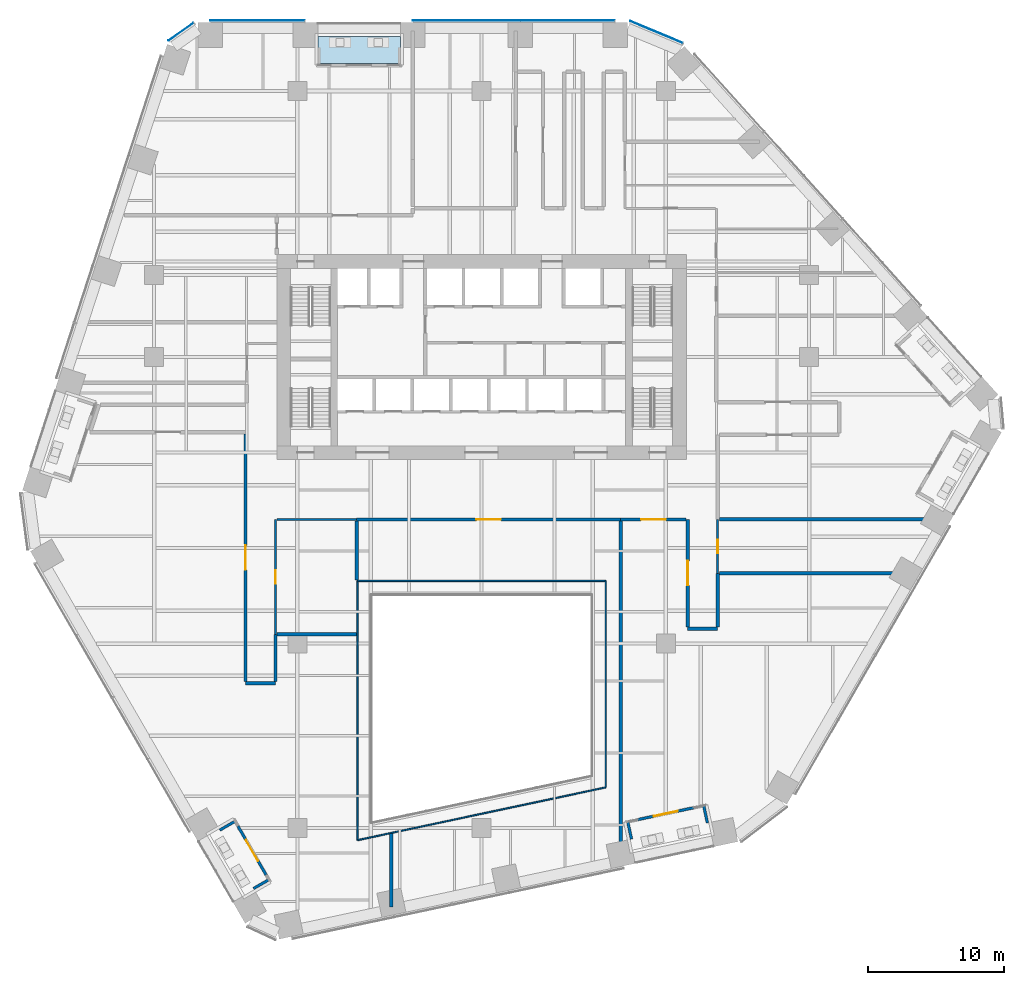
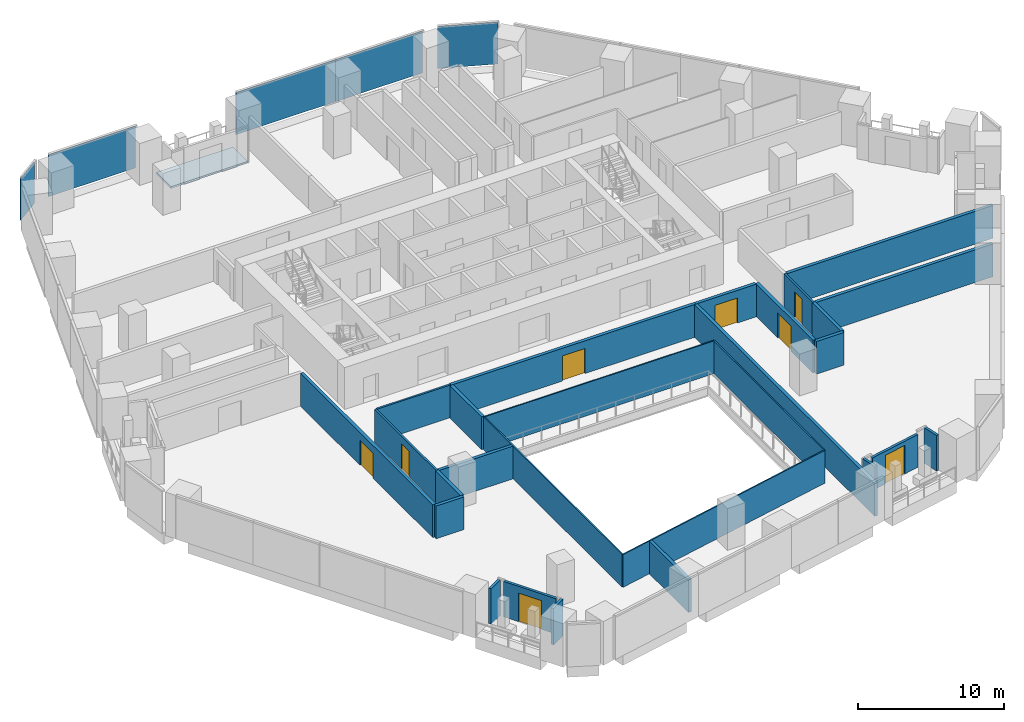
# One storey, part 22 of 31: 27 walls, 8 doors, 5 plates, 1 slab, 8 openings, 3 elements without a shape of their own.
"""IFC4 building model written with IfcOpenShell, lengths in metres."""

from ifc_helpers import new_model, si_unit, direction, frame, frame_2d, origin, origin_2d, place, context, subcontext, project, spatial, polyline, rectangle, outline, extrude, material, layer, layer_set, type_object, element, fill, aggregate, save


model = new_model("IFC4")

# Units and contexts
model_context = context("Model", 3, precision=1e-05, world=origin(), true_north=direction((0.0, 1.0)))
body_context = subcontext(model_context, "Body", "Model", "MODEL_VIEW")
ifc_project = project(units=[si_unit("LENGTHUNIT", "METRE"), si_unit("AREAUNIT", "SQUARE_METRE"), si_unit("VOLUMEUNIT", "CUBIC_METRE"), si_unit("PLANEANGLEUNIT", "RADIAN"), si_unit("MASSUNIT", "GRAM", prefix="KILO")], contexts=[model_context])

# Site, building, storey
site_placement = place(None, origin())
site = spatial("IfcSite", under=ifc_project, at=site_placement, CompositionType="ELEMENT")
building_placement = place(site_placement, origin())
building = spatial("IfcBuilding", under=site, at=building_placement, Name="Isthmus Gate Tower", CompositionType="ELEMENT")
storey_placement = place(building_placement, frame((0.0, 0.0, 54.25)))
storey = spatial("IfcBuildingStorey", under=building, at=storey_placement, Name="L11", CompositionType="ELEMENT", Elevation=54.25)

# Curtain wall, plates
ifc_material_1 = material(Name="Aluminium, pale champagne anodised", Category="aluminium")
ifc_layer_1 = layer(ifc_material_1, 0.199951171875)
ifc_layer_set_1 = layer_set([ifc_layer_1], Name="CW-1 UNITISED CURTAIN WALL 200 DEEP")
curtain_wall_type = type_object("IfcCurtainWallType", Name="CW-1 UNITISED CURTAIN WALL 200 DEEP", PredefinedType="NOTDEFINED", material=ifc_layer_set_1)
curtain_wall_1_placement = place(storey_placement, origin())
curtain_wall_1 = element("IfcCurtainWall", 1, at=curtain_wall_1_placement, inside=storey, type_object=curtain_wall_type, Name="CW-1 N L11", PredefinedType="NOTDEFINED")
ifc_material_2 = material(Name="Laminated low-iron glass, pale blue tint", Category="glass")
ifc_layer_2 = layer(ifc_material_2, 0.0400390625)
ifc_layer_set_2 = layer_set([ifc_layer_2], Name="CW-1 CLEAR GLASS LITE 40")
plate_type = type_object("IfcPlateType", Name="CW-1 CLEAR GLASS LITE 40", PredefinedType="CURTAIN_PANEL", material=ifc_layer_set_2)
plate_1_placement = place(storey_placement, frame((6.287109375, 32.179931640625, 0.0), z_axis=(0.0, 0.0, 1.0), x_axis=(-1.0, 0.0, 0.0)))
plate_1 = element("IfcPlate", 2, at=plate_1_placement, type_object=plate_type, Name="CW-1 glass lite", PredefinedType="CURTAIN_PANEL", context=body_context, shape_type="SweptSolid", body=[
    extrude(rectangle(XDim=6.909423828125, YDim=0.0400390625, at=origin_2d()), origin(), (0.0, 0.0, 1.0), 3.5),
])
plate_2_placement = place(storey_placement, frame((-1.1025390625, 32.179931640625, 0.0), z_axis=(0.0, 0.0, 1.0), x_axis=(-1.0, 0.0, 0.0)))
plate_2 = element("IfcPlate", 3, at=plate_2_placement, type_object=plate_type, Name="CW-1 glass lite", PredefinedType="CURTAIN_PANEL", context=body_context, shape_type="SweptSolid", body=[
    extrude(rectangle(XDim=7.86962890625, YDim=0.0400390625, at=origin_2d()), origin(), (0.0, 0.0, 1.0), 3.5),
])
plate_3_placement = place(storey_placement, frame((-16.42138671875, 32.179931640625, 0.0), z_axis=(0.0, 0.0, 1.0), x_axis=(-1.0, 0.0, 0.0)))
plate_3 = element("IfcPlate", 4, at=plate_3_placement, type_object=plate_type, Name="CW-1 glass lite", PredefinedType="CURTAIN_PANEL", context=body_context, shape_type="SweptSolid", body=[
    extrude(rectangle(XDim=6.909423828125, YDim=0.0400390625, at=origin_2d()), origin(), (0.0, 0.0, 1.0), 3.5),
])
aggregate(curtain_wall_1, [plate_1, plate_2, plate_3])

# Curtain wall, plate
curtain_wall_2_placement = place(storey_placement, origin())
curtain_wall_2 = element("IfcCurtainWall", 5, at=curtain_wall_2_placement, inside=storey, type_object=curtain_wall_type, Name="CW-1 N-NW L11", PredefinedType="NOTDEFINED")
plate_4_placement = place(storey_placement, frame((-22.025146484375, 31.341552734375, 0.0), z_axis=(0.0, 0.0, 1.0), x_axis=(-0.81785959165, -0.57541783805, 0.0)))
plate_4 = element("IfcPlate", 6, at=plate_4_placement, type_object=plate_type, Name="CW-1 glass lite", PredefinedType="CURTAIN_PANEL", context=body_context, shape_type="SweptSolid", body=[
    extrude(rectangle(XDim=2.258544921875, YDim=0.0400390625, at=origin_2d()), origin(), (0.0, 0.0, 1.0), 3.5),
])
aggregate(curtain_wall_2, [plate_4])

curtain_wall_3_placement = place(storey_placement, origin())
curtain_wall_3 = element("IfcCurtainWall", 7, at=curtain_wall_3_placement, inside=storey, type_object=curtain_wall_type, Name="CW-1 NE-N L11", PredefinedType="NOTDEFINED")
plate_5_placement = place(storey_placement, frame((12.816650390625, 31.315673828125, 0.0), z_axis=(0.0, 0.0, 1.0), x_axis=(-0.923353128387, 0.383951820282, 0.0)))
plate_5 = element("IfcPlate", 8, at=plate_5_placement, type_object=plate_type, Name="CW-1 glass lite", PredefinedType="CURTAIN_PANEL", context=body_context, shape_type="SweptSolid", body=[
    extrude(rectangle(XDim=4.181396484375, YDim=0.0400390625, at=origin_2d()), origin(), (0.0, 0.0, 1.0), 3.5),
])
aggregate(curtain_wall_3, [plate_5])

# Slab
ifc_material_3 = material(Name="Concrete f'c 50 MPa", Category="concrete")
ifc_layer_3 = layer(ifc_material_3, 0.14990234375)
ifc_layer_set_3 = layer_set([ifc_layer_3], Name="LOGGIA FLOOR SLAB 150")
slab_type = type_object("IfcSlabType", Name="LOGGIA FLOOR SLAB 150", PredefinedType="FLOOR", material=ifc_layer_set_3)
slab_placement = place(storey_placement, frame((0.0, 0.0, -0.14990234375)))
element("IfcSlab", 9, at=slab_placement, inside=storey, type_object=slab_type, Name="LOGGIA FLOOR", PredefinedType="FLOOR", context=body_context, shape_type="SweptSolid", body=[
    extrude(outline(polyline([(-5.937255859375, 31.0), (-12.006591796875, 31.0), (-12.006591796875, 29.0), (-5.937255859375, 29.0), (-5.937255859375, 31.0)])), origin(), (0.0, 0.0, 1.0), 0.14990234375),
])

# Wall, opening, door
ifc_material_4 = material(Name="Double-leaf acoustic stud wall, fire-rated", Category="gypsum")
ifc_layer_4 = layer(ifc_material_4, 0.25)
ifc_layer_set_4 = layer_set([ifc_layer_4], Name="ACOUSTIC WALL 250 60 MIN")
wall_type_1 = type_object("IfcWallType", Name="ACOUSTIC WALL 250 60 MIN", PredefinedType="PARTITIONING", material=ifc_layer_set_4)
wall_1_placement = place(storey_placement, frame((10.19189453125, -4.39990234375, 0.0), z_axis=(0.0, 0.0, 1.0), x_axis=(-1.0, 0.0, 0.0)))
wall_1 = element("IfcWall", 10, at=wall_1_placement, inside=storey, type_object=wall_type_1, Name="L11 Acoustic Wall 250 60 Min", PredefinedType="PARTITIONING", context=body_context, shape_type="SweptSolid", body=[
    extrude(rectangle(XDim=19.343994140625, YDim=0.25, at=frame_2d((9.671875, 0.0))), origin(), (0.0, 0.0, 1.0), 2.7412109375),
])
opening_1_placement = place(wall_1_placement, frame((8.77197265625, 0.0, 0.0)))
opening_1 = element("IfcOpeningElement", 11, at=opening_1_placement, cuts=wall_1, Name="Opening DT-T1B-16", PredefinedType="OPENING", context=body_context, shape_type="SweptSolid", body=[
    extrude(rectangle(XDim=1.800048828125, YDim=2.10009765625, at=frame_2d((0.89990234375, 1.050048828125))), frame((0.0, 0.135009765625, 0.0), z_axis=(0.0, -1.0, 0.0), x_axis=(1.0, 0.0, 0.0)), (0.0, 0.0, 1.0), 0.27001953125),
])
ifc_material_5 = material(Name="Solid core timber door leaf, fire-rated", Category="wood")
door_type_1 = type_object("IfcDoorType", Name="FIRE DOOR ACOUSTIC ROOM 1800 X 2100 60 MIN", OperationType="DOUBLE_DOOR_DOUBLE_SWING", PredefinedType="DOOR", material=ifc_material_5)
door_1_placement = place(opening_1_placement, origin())
door_1 = element("IfcDoor", 12, at=door_1_placement, inside=storey, type_object=door_type_1, Name="L11 room door", OperationType="DOUBLE_DOOR_DOUBLE_SWING", OverallHeight=2.10009765625, OverallWidth=1.800048828125, PredefinedType="DOOR", context=body_context, shape_type="SweptSolid", body=[
    extrude(rectangle(XDim=1.800048828125, YDim=2.10009765625, at=frame_2d((0.89990234375, 1.050048828125))), frame((0.0, 0.02490234375, 0.0), z_axis=(0.0, -1.0, 0.0), x_axis=(1.0, 0.0, 0.0)), (0.0, 0.0, 1.0), 0.050048828125),
])
fill(opening_1, door_1)

wall_2_placement = place(storey_placement, frame((14.97509765625, -4.39990234375, 0.0), z_axis=(0.0, 0.0, 1.0), x_axis=(-1.0, 0.0, 0.0)))
wall_2 = element("IfcWall", 13, at=wall_2_placement, inside=storey, type_object=wall_type_1, Name="L11 Acoustic Wall 250 60 Min", PredefinedType="PARTITIONING", context=body_context, shape_type="SweptSolid", body=[
    extrude(rectangle(XDim=4.783203125, YDim=0.25, at=frame_2d((2.3916015625, 0.0))), origin(), (0.0, 0.0, 1.0), 2.7412109375),
])
opening_2_placement = place(wall_2_placement, frame((1.47900390625, 0.0, 0.0)))
opening_2 = element("IfcOpeningElement", 14, at=opening_2_placement, cuts=wall_2, Name="Opening DT-T1B-18", PredefinedType="OPENING", context=body_context, shape_type="SweptSolid", body=[
    extrude(rectangle(XDim=1.800048828125, YDim=2.10009765625, at=frame_2d((0.89990234375, 1.050048828125))), frame((0.0, 0.135009765625, 0.0), z_axis=(0.0, -1.0, 0.0), x_axis=(1.0, 0.0, 0.0)), (0.0, 0.0, 1.0), 0.27001953125),
])
door_2_placement = place(opening_2_placement, origin())
door_2 = element("IfcDoor", 15, at=door_2_placement, inside=storey, type_object=door_type_1, Name="L11 room door", OperationType="DOUBLE_DOOR_DOUBLE_SWING", OverallHeight=2.10009765625, OverallWidth=1.800048828125, PredefinedType="DOOR", context=body_context, shape_type="SweptSolid", body=[
    extrude(rectangle(XDim=1.800048828125, YDim=2.10009765625, at=frame_2d((0.89990234375, 1.050048828125))), frame((0.0, 0.02490234375, 0.0), z_axis=(0.0, -1.0, 0.0), x_axis=(1.0, 0.0, 0.0)), (0.0, 0.0, 1.0), 0.050048828125),
])
fill(opening_2, door_2)

# Walls
wall_3_placement = place(storey_placement, frame((17.300048828125, -12.39990234375, 0.0), z_axis=(0.0, 0.0, 1.0), x_axis=(-1.0, 0.0, 0.0)))
element("IfcWall", 16, at=wall_3_placement, inside=storey, type_object=wall_type_1, Name="L11 Acoustic Wall 250 60 Min", PredefinedType="PARTITIONING", context=body_context, shape_type="SweptSolid", body=[
    extrude(rectangle(XDim=2.199951171875, YDim=0.25, at=frame_2d((1.10009765625, 0.0))), origin(), (0.0, 0.0, 1.0), 2.7412109375),
])
wall_4_placement = place(storey_placement, frame((17.300048828125, -8.35009765625, 0.0), z_axis=(0.0, 0.0, 1.0), x_axis=(0.0, -1.0, 0.0)))
element("IfcWall", 17, at=wall_4_placement, inside=storey, type_object=wall_type_1, Name="L11 Acoustic Wall 250 60 Min", PredefinedType="PARTITIONING", context=body_context, shape_type="SweptSolid", body=[
    extrude(rectangle(XDim=3.9248046875, YDim=0.25, at=frame_2d((1.96240234375, 0.0))), origin(), (0.0, 0.0, 1.0), 2.7412109375),
])
wall_5_placement = place(storey_placement, frame((-15.10009765625, -16.39990234375, 0.0), z_axis=(0.0, 0.0, 1.0), x_axis=(-1.0, 0.0, 0.0)))
element("IfcWall", 18, at=wall_5_placement, inside=storey, type_object=wall_type_1, Name="L11 Acoustic Wall 250 60 Min", PredefinedType="PARTITIONING", context=body_context, shape_type="SweptSolid", body=[
    extrude(rectangle(XDim=2.199951171875, YDim=0.25, at=frame_2d((1.10009765625, 0.0))), origin(), (0.0, 0.0, 1.0), 2.7412109375),
])
wall_6_placement = place(storey_placement, frame((-15.10009765625, -12.825927734375, 0.0), z_axis=(0.0, 0.0, 1.0), x_axis=(0.0, -1.0, 0.0)))
element("IfcWall", 19, at=wall_6_placement, inside=storey, type_object=wall_type_1, Name="L11 Acoustic Wall 250 60 Min", PredefinedType="PARTITIONING", context=body_context, shape_type="SweptSolid", body=[
    extrude(rectangle(XDim=3.448974609375, YDim=0.25, at=frame_2d((1.724609375, 0.0))), origin(), (0.0, 0.0, 1.0), 2.7412109375),
])
wall_7_placement = place(storey_placement, frame((17.427001953125, -4.3720703125, 0.0), z_axis=(0.0, 0.0, 1.0), x_axis=(1.0, 0.0, 0.0)))
element("IfcWall", 20, at=wall_7_placement, inside=storey, type_object=wall_type_1, Name="L11 Acoustic Wall 250 60 Min", PredefinedType="PARTITIONING", context=body_context, shape_type="SweptSolid", body=[
    extrude(rectangle(XDim=16.305908203125, YDim=0.25, at=frame_2d((8.15283203125, 0.0))), origin(), (0.0, 0.0, 1.0), 2.7412109375),
])
wall_8_placement = place(storey_placement, frame((-14.97509765625, -12.825927734375, 0.0), z_axis=(0.0, 0.0, 1.0), x_axis=(1.0, 0.0, 0.0)))
element("IfcWall", 21, at=wall_8_placement, inside=storey, type_object=wall_type_1, Name="L11 Acoustic Wall 250 60 Min", PredefinedType="PARTITIONING", context=body_context, shape_type="SweptSolid", body=[
    extrude(rectangle(XDim=5.8251953125, YDim=0.25, at=frame_2d((2.91259765625, 0.0))), origin(), (0.0, 0.0, 1.0), 2.7412109375),
])
wall_9_placement = place(storey_placement, frame((-9.152099609375, -8.85205078125, 0.0), z_axis=(0.0, 0.0, 1.0), x_axis=(0.0, 1.0, 0.0)))
element("IfcWall", 22, at=wall_9_placement, inside=storey, type_object=wall_type_1, Name="L11 Acoustic Wall 250 60 Min", PredefinedType="PARTITIONING", context=body_context, shape_type="SweptSolid", body=[
    extrude(rectangle(XDim=4.3271484375, YDim=0.25, at=frame_2d((2.16357421875, 0.0))), origin(), (0.0, 0.0, 1.0), 2.7412109375),
])
wall_10_placement = place(storey_placement, frame((17.425048828125, -8.35009765625, 0.0), z_axis=(0.0, 0.0, 1.0), x_axis=(1.0, 0.0, 0.0)))
element("IfcWall", 23, at=wall_10_placement, inside=storey, type_object=wall_type_1, Name="L11 Acoustic Wall 250 60 Min", PredefinedType="PARTITIONING", context=body_context, shape_type="SweptSolid", body=[
    extrude(rectangle(XDim=14.011962890625, YDim=0.25, at=frame_2d((7.005859375, 0.0))), origin(), (0.0, 0.0, 1.0), 2.7412109375),
])

# Wall, opening, door
wall_11_placement = place(storey_placement, frame((-17.300048828125, -16.27490234375, 0.0), z_axis=(0.0, 0.0, 1.0), x_axis=(0.0, 1.0, 0.0)))
wall_11 = element("IfcWall", 24, at=wall_11_placement, inside=storey, type_object=wall_type_1, Name="L11 Acoustic Wall 250 60 Min", PredefinedType="PARTITIONING", context=body_context, shape_type="SweptSolid", body=[
    extrude(rectangle(XDim=18.14990234375, YDim=0.25, at=frame_2d((9.074951171875, 0.0))), origin(), (0.0, 0.0, 1.0), 2.7412109375),
])
opening_3_placement = place(wall_11_placement, frame((8.175048828125, 0.0, 0.0)))
opening_3 = element("IfcOpeningElement", 25, at=opening_3_placement, cuts=wall_11, Name="Opening DT-T1B-14", PredefinedType="OPENING", context=body_context, shape_type="SweptSolid", body=[
    extrude(rectangle(XDim=1.800048828125, YDim=2.10009765625, at=frame_2d((0.89990234375, 1.050048828125))), frame((0.0, 0.135009765625, 0.0), z_axis=(0.0, -1.0, 0.0), x_axis=(1.0, 0.0, 0.0)), (0.0, 0.0, 1.0), 0.27001953125),
])
door_3_placement = place(opening_3_placement, origin())
door_3 = element("IfcDoor", 26, at=door_3_placement, inside=storey, type_object=door_type_1, Name="L11 room door", OperationType="DOUBLE_DOOR_DOUBLE_SWING", OverallHeight=2.10009765625, OverallWidth=1.800048828125, PredefinedType="DOOR", context=body_context, shape_type="SweptSolid", body=[
    extrude(rectangle(XDim=1.800048828125, YDim=2.10009765625, at=frame_2d((0.89990234375, 1.050048828125))), frame((0.0, 0.02490234375, 0.0), z_axis=(0.0, -1.0, 0.0), x_axis=(1.0, 0.0, 0.0)), (0.0, 0.0, 1.0), 0.050048828125),
])
fill(opening_3, door_3)

# Walls
wall_12_placement = place(storey_placement, frame((-6.611083984375, -32.7919921875, 0.0), z_axis=(0.0, 0.0, 1.0), x_axis=(0.0, 1.0, 0.0)))
element("IfcWall", 27, at=wall_12_placement, inside=storey, type_object=wall_type_1, Name="L11 Acoustic Wall 250 60 Min", PredefinedType="PARTITIONING", context=body_context, shape_type="SweptSolid", body=[
    extrude(rectangle(XDim=5.366943359375, YDim=0.25, at=frame_2d((2.68359375, 0.0))), origin(), (0.0, 0.0, 1.0), 2.7412109375),
])
wall_13_placement = place(storey_placement, frame((10.19189453125, -29.219970703125, 0.0), z_axis=(0.0, 0.0, 1.0), x_axis=(0.0, 1.0, 0.0)))
element("IfcWall", 28, at=wall_13_placement, inside=storey, type_object=wall_type_1, Name="L11 Acoustic Wall 250 60 Min", PredefinedType="PARTITIONING", context=body_context, shape_type="SweptSolid", body=[
    extrude(rectangle(XDim=24.695068359375, YDim=0.25, at=frame_2d((12.34765625, 0.0))), origin(), (0.0, 0.0, 1.0), 2.7412109375),
])

# Wall, opening, door
wall_14_placement = place(storey_placement, frame((15.10009765625, -12.27490234375, 0.0), z_axis=(0.0, 0.0, 1.0), x_axis=(0.0, 1.0, 0.0)))
wall_14 = element("IfcWall", 29, at=wall_14_placement, inside=storey, type_object=wall_type_1, Name="L11 Acoustic Wall 250 60 Min", PredefinedType="PARTITIONING", context=body_context, shape_type="SweptSolid", body=[
    extrude(rectangle(XDim=7.875, YDim=0.25, at=frame_2d((3.9375, 0.0))), origin(), (0.0, 0.0, 1.0), 2.7412109375),
])
opening_4_placement = place(wall_14_placement, frame((3.03759765625, 0.0, 0.0)))
opening_4 = element("IfcOpeningElement", 30, at=opening_4_placement, cuts=wall_14, Name="Opening DT-T1B-17", PredefinedType="OPENING", context=body_context, shape_type="SweptSolid", body=[
    extrude(rectangle(XDim=1.800048828125, YDim=2.10009765625, at=frame_2d((0.89990234375, 1.050048828125))), frame((0.0, 0.135009765625, 0.0), z_axis=(0.0, -1.0, 0.0), x_axis=(1.0, 0.0, 0.0)), (0.0, 0.0, 1.0), 0.27001953125),
])
door_4_placement = place(opening_4_placement, origin())
door_4 = element("IfcDoor", 31, at=door_4_placement, inside=storey, type_object=door_type_1, Name="L11 room door", OperationType="DOUBLE_DOOR_DOUBLE_SWING", OverallHeight=2.10009765625, OverallWidth=1.800048828125, PredefinedType="DOOR", context=body_context, shape_type="SweptSolid", body=[
    extrude(rectangle(XDim=1.800048828125, YDim=2.10009765625, at=frame_2d((0.89990234375, 1.050048828125))), frame((0.0, 0.02490234375, 0.0), z_axis=(0.0, -1.0, 0.0), x_axis=(1.0, 0.0, 0.0)), (0.0, 0.0, 1.0), 0.050048828125),
])
fill(opening_4, door_4)

# Walls
ifc_material_6 = material(Name="Fire-rated laminated glass in steel frame", Category="steel")
ifc_layer_5 = layer(ifc_material_6, 0.10009765625)
ifc_layer_set_5 = layer_set([ifc_layer_5], Name="ATRIUM SCREEN GLAZED WALL 100 120 MIN")
wall_type_2 = type_object("IfcWallType", Name="ATRIUM SCREEN GLAZED WALL 100 120 MIN", PredefinedType="PARTITIONING", material=ifc_layer_set_5)
wall_15_placement = place(storey_placement, frame((-9.10009765625, -8.89990234375, 0.0), z_axis=(0.0, 0.0, 1.0), x_axis=(1.0, 0.0, 0.0)))
element("IfcWall", 32, at=wall_15_placement, inside=storey, type_object=wall_type_2, Name="L11 atrium screen", PredefinedType="PARTITIONING", context=body_context, shape_type="SweptSolid", body=[
    extrude(rectangle(XDim=18.2001953125, YDim=0.10009765625, at=frame_2d((9.10009765625, 0.0))), origin(), (0.0, 0.0, 1.0), 2.7412109375),
])
wall_16_placement = place(storey_placement, frame((9.10009765625, -8.89990234375, 0.0), z_axis=(0.0, 0.0, 1.0), x_axis=(0.0, -1.0, 0.0)))
element("IfcWall", 33, at=wall_16_placement, inside=storey, type_object=wall_type_2, Name="L11 atrium screen", PredefinedType="PARTITIONING", context=body_context, shape_type="SweptSolid", body=[
    extrude(rectangle(XDim=15.134033203125, YDim=0.10009765625, at=frame_2d((7.56689453125, 0.0))), origin(), (0.0, 0.0, 1.0), 2.7412109375),
])
wall_17_placement = place(storey_placement, frame((9.10009765625, -24.033935546875, 0.0), z_axis=(0.0, 0.0, 1.0), x_axis=(-0.978146710971, -0.207915876778, 0.0)))
element("IfcWall", 34, at=wall_17_placement, inside=storey, type_object=wall_type_2, Name="L11 atrium screen", PredefinedType="PARTITIONING", context=body_context, shape_type="SweptSolid", body=[
    extrude(rectangle(XDim=18.60693359375, YDim=0.10009765625, at=frame_2d((9.303466796875, 0.0))), origin(), (0.0, 0.0, 1.0), 2.7412109375),
])
wall_18_placement = place(storey_placement, frame((-9.10009765625, -27.902587890625, 0.0), z_axis=(0.0, 0.0, 1.0), x_axis=(0.0, 1.0, 0.0)))
element("IfcWall", 35, at=wall_18_placement, inside=storey, type_object=wall_type_2, Name="L11 atrium screen", PredefinedType="PARTITIONING", context=body_context, shape_type="SweptSolid", body=[
    extrude(rectangle(XDim=19.002685546875, YDim=0.10009765625, at=frame_2d((9.50146484375, 0.0))), origin(), (0.0, 0.0, 1.0), 2.7412109375),
])
ifc_material_7 = material(Name="Gypsum board on steel studs, fire-rated", Category="steel")
ifc_layer_6 = layer(ifc_material_7, 0.14990234375)
ifc_layer_set_6 = layer_set([ifc_layer_6], Name="CORRIDOR WALL 150 60 MIN")
wall_type_3 = type_object("IfcWallType", Name="CORRIDOR WALL 150 60 MIN", PredefinedType="PARTITIONING", material=ifc_layer_set_6)
wall_19_placement = place(storey_placement, frame((-9.152099609375, -4.39990234375, 0.0), z_axis=(0.0, 0.0, 1.0), x_axis=(-1.0, 0.0, 0.0)))
element("IfcWall", 36, at=wall_19_placement, inside=storey, type_object=wall_type_3, Name="L11 Corridor Wall 150 60 Min", PredefinedType="PARTITIONING", context=body_context, shape_type="SweptSolid", body=[
    extrude(rectangle(XDim=5.847900390625, YDim=0.14990234375, at=frame_2d((2.923828125, 0.0))), origin(), (0.0, 0.0, 1.0), 2.7412109375),
])

# Wall, opening, door
wall_20_placement = place(storey_placement, frame((17.300048828125, -4.389892578125, 0.0), z_axis=(0.0, 0.0, 1.0), x_axis=(0.0, -1.0, 0.0)))
wall_20 = element("IfcWall", 37, at=wall_20_placement, inside=storey, type_object=wall_type_3, Name="L11 Corridor Wall 150 60 Min", PredefinedType="PARTITIONING", context=body_context, shape_type="SweptSolid", body=[
    extrude(rectangle(XDim=3.960205078125, YDim=0.14990234375, at=frame_2d((1.97998046875, 0.0))), origin(), (0.0, 0.0, 1.0), 2.7412109375),
])
opening_5_placement = place(wall_20_placement, frame((1.47998046875, 0.0, 0.0)))
opening_5 = element("IfcOpeningElement", 38, at=opening_5_placement, cuts=wall_20, Name="Opening DT-T1B-13", PredefinedType="OPENING", context=body_context, shape_type="SweptSolid", body=[
    extrude(rectangle(XDim=1.0, YDim=2.10009765625, at=frame_2d((0.5, 1.050048828125))), frame((0.0, 0.0849609375, 0.0), z_axis=(0.0, -1.0, 0.0), x_axis=(1.0, 0.0, 0.0)), (0.0, 0.0, 1.0), 0.169921875),
])
ifc_material_8 = material(Name="Solid core timber door leaf, fire-rated", Category="wood")
door_type_2 = type_object("IfcDoorType", Name="FIRE DOOR ROOM 1000 X 2100 60 MIN", OperationType="SINGLE_SWING_LEFT", PredefinedType="DOOR", material=ifc_material_8)
door_5_placement = place(opening_5_placement, origin())
door_5 = element("IfcDoor", 39, at=door_5_placement, inside=storey, type_object=door_type_2, Name="L11 room door", OperationType="SINGLE_SWING_RIGHT", OverallHeight=2.10009765625, OverallWidth=1.0, PredefinedType="DOOR", context=body_context, shape_type="SweptSolid", body=[
    extrude(rectangle(XDim=1.0, YDim=2.10009765625, at=frame_2d((0.5, 1.050048828125))), frame((0.0, 0.02490234375, 0.0), z_axis=(0.0, -1.0, 0.0), x_axis=(1.0, 0.0, 0.0)), (0.0, 0.0, 1.0), 0.050048828125),
])
fill(opening_5, door_5)

wall_21_placement = place(storey_placement, frame((-15.10009765625, -4.39990234375, 0.0), z_axis=(0.0, 0.0, 1.0), x_axis=(0.0, -1.0, 0.0)))
wall_21 = element("IfcWall", 40, at=wall_21_placement, inside=storey, type_object=wall_type_3, Name="L11 Corridor Wall 150 60 Min", PredefinedType="PARTITIONING", context=body_context, shape_type="SweptSolid", body=[
    extrude(rectangle(XDim=8.426025390625, YDim=0.14990234375, at=frame_2d((4.212890625, 0.0))), origin(), (0.0, 0.0, 1.0), 2.7412109375),
])
opening_6_placement = place(wall_21_placement, frame((3.712890625, 0.0, 0.0)))
opening_6 = element("IfcOpeningElement", 41, at=opening_6_placement, cuts=wall_21, Name="Opening DT-T1B-12", PredefinedType="OPENING", context=body_context, shape_type="SweptSolid", body=[
    extrude(rectangle(XDim=1.0, YDim=2.10009765625, at=frame_2d((0.5, 1.050048828125))), frame((0.0, 0.0849609375, 0.0), z_axis=(0.0, -1.0, 0.0), x_axis=(1.0, 0.0, 0.0)), (0.0, 0.0, 1.0), 0.169921875),
])
door_6_placement = place(opening_6_placement, origin())
door_6 = element("IfcDoor", 42, at=door_6_placement, inside=storey, type_object=door_type_2, Name="L11 room door", OperationType="SINGLE_SWING_RIGHT", OverallHeight=2.10009765625, OverallWidth=1.0, PredefinedType="DOOR", context=body_context, shape_type="SweptSolid", body=[
    extrude(rectangle(XDim=1.0, YDim=2.10009765625, at=frame_2d((0.5, 1.050048828125))), frame((0.0, 0.02490234375, 0.0), z_axis=(0.0, -1.0, 0.0), x_axis=(1.0, 0.0, 0.0)), (0.0, 0.0, 1.0), 0.050048828125),
])
fill(opening_6, door_6)

ifc_material_9 = material(Name="Precast concrete C40/50", Category="concrete")
ifc_layer_7 = layer(ifc_material_9, 0.199951171875)
ifc_layer_set_7 = layer_set([ifc_layer_7], Name="LOGGIA WALL 200")
wall_type_4 = type_object("IfcWallType", Name="LOGGIA WALL 200", PredefinedType="SOLIDWALL", material=ifc_layer_set_7)
wall_22_placement = place(storey_placement, frame((-17.86181640625, -26.862548828125, 0.0), z_axis=(0.0, 0.0, 1.0), x_axis=(0.500004672885, -0.866022705876, 0.0)))
wall_22 = element("IfcWall", 43, at=wall_22_placement, inside=storey, type_object=wall_type_4, Name="LOGGIA BACK WALL", PredefinedType="SOLIDWALL", context=body_context, shape_type="SweptSolid", body=[
    extrude(rectangle(XDim=4.1435546875, YDim=0.199951171875, at=frame_2d((2.07177734375, 0.0))), origin(), (0.0, 0.0, 1.0), 2.966552734375),
])
opening_7_placement = place(wall_22_placement, frame((1.171875, 0.0, 0.0)))
opening_7 = element("IfcOpeningElement", 44, at=opening_7_placement, cuts=wall_22, Name="Opening DE11-03", PredefinedType="OPENING", context=body_context, shape_type="SweptSolid", body=[
    extrude(rectangle(XDim=1.800048828125, YDim=2.39990234375, at=frame_2d((0.89990234375, 1.199951171875))), frame((0.0, 0.10986328125, 0.0), z_axis=(0.0, -1.0, 0.0), x_axis=(1.0, 0.0, 0.0)), (0.0, 0.0, 1.0), 0.219970703125),
])
ifc_material_10 = material(Name="Aluminium, pale champagne anodised, laminated glass", Category="aluminium")
door_type_3 = type_object("IfcDoorType", Name="LOGGIA DOOR SLIDING 1800 X 2400", OperationType="DOUBLE_DOOR_SLIDING", PredefinedType="DOOR", material=ifc_material_10)
door_7_placement = place(opening_7_placement, origin())
door_7 = element("IfcDoor", 45, at=door_7_placement, inside=storey, type_object=door_type_3, Name="DOOR DE11-03", OperationType="SINGLE_SWING_LEFT", OverallHeight=2.39990234375, OverallWidth=1.800048828125, PredefinedType="DOOR", context=body_context, shape_type="SweptSolid", body=[
    extrude(rectangle(XDim=1.800048828125, YDim=2.39990234375, at=frame_2d((0.89990234375, 1.199951171875))), frame((0.0, 0.02490234375, 0.0), z_axis=(0.0, -1.0, 0.0), x_axis=(1.0, 0.0, 0.0)), (0.0, 0.0, 1.0), 0.050048828125),
])
fill(opening_7, door_7)

# Walls
wall_23_placement = place(storey_placement, frame((-19.187744140625, -27.166015625, 0.0), z_axis=(0.0, 0.0, 1.0), x_axis=(0.866011447264, 0.500024172624, 0.0)))
element("IfcWall", 46, at=wall_23_placement, inside=storey, type_object=wall_type_4, Name="LOGGIA SIDE WALL", PredefinedType="SOLIDWALL", context=body_context, shape_type="SweptSolid", body=[
    extrude(rectangle(XDim=1.2841796875, YDim=0.199951171875, at=frame_2d((0.64208984375, 0.0))), origin(), (0.0, 0.0, 1.0), 2.966552734375),
])
wall_24_placement = place(storey_placement, frame((-16.7158203125, -31.447265625, 0.0), z_axis=(0.0, 0.0, 1.0), x_axis=(0.866011447264, 0.500024172624, 0.0)))
element("IfcWall", 47, at=wall_24_placement, inside=storey, type_object=wall_type_4, Name="LOGGIA SIDE WALL", PredefinedType="SOLIDWALL", context=body_context, shape_type="SweptSolid", body=[
    extrude(rectangle(XDim=1.2841796875, YDim=0.199951171875, at=frame_2d((0.64208984375, 0.0))), origin(), (0.0, 0.0, 1.0), 3.050048828125),
])

# Wall, opening, door
wall_25_placement = place(storey_placement, frame((11.44140625, -26.398681640625, 0.0), z_axis=(0.0, 0.0, 1.0), x_axis=(0.978155748334, 0.207873355681, 0.0)))
wall_25 = element("IfcWall", 48, at=wall_25_placement, inside=storey, type_object=wall_type_4, Name="LOGGIA BACK WALL", PredefinedType="SOLIDWALL", context=body_context, shape_type="SweptSolid", body=[
    extrude(rectangle(XDim=4.199951171875, YDim=0.199951171875, at=frame_2d((2.10009765625, 0.0))), origin(), (0.0, 0.0, 1.0), 2.7412109375),
])
opening_8_placement = place(wall_25_placement, frame((1.199951171875, 0.0, 0.0)))
opening_8 = element("IfcOpeningElement", 49, at=opening_8_placement, cuts=wall_25, Name="Opening DE11-04", PredefinedType="OPENING", context=body_context, shape_type="SweptSolid", body=[
    extrude(rectangle(XDim=1.800048828125, YDim=2.39990234375, at=frame_2d((0.89990234375, 1.199951171875))), frame((0.0, 0.10986328125, 0.0), z_axis=(0.0, -1.0, 0.0), x_axis=(1.0, 0.0, 0.0)), (0.0, 0.0, 1.0), 0.219970703125),
])
door_8_placement = place(opening_8_placement, origin())
door_8 = element("IfcDoor", 50, at=door_8_placement, inside=storey, type_object=door_type_3, Name="DOOR DE11-04", OperationType="SINGLE_SWING_LEFT", OverallHeight=2.39990234375, OverallWidth=1.800048828125, PredefinedType="DOOR", context=body_context, shape_type="SweptSolid", body=[
    extrude(rectangle(XDim=1.800048828125, YDim=2.39990234375, at=frame_2d((0.89990234375, 1.199951171875))), frame((0.0, 0.02490234375, 0.0), z_axis=(0.0, -1.0, 0.0), x_axis=(1.0, 0.0, 0.0)), (0.0, 0.0, 1.0), 0.050048828125),
])
fill(opening_8, door_8)

# Walls
wall_26_placement = place(storey_placement, frame((10.9833984375, -27.8251953125, 0.0), z_axis=(0.0, 0.0, 1.0), x_axis=(-0.20802249271, 0.978124042505, 0.0)))
element("IfcWall", 51, at=wall_26_placement, inside=storey, type_object=wall_type_4, Name="LOGGIA SIDE WALL", PredefinedType="SOLIDWALL", context=body_context, shape_type="SweptSolid", body=[
    extrude(rectangle(XDim=1.283935546875, YDim=0.199951171875, at=frame_2d((0.64208984375, 0.0))), origin(), (0.0, 0.0, 1.0), 3.04931640625),
])
wall_27_placement = place(storey_placement, frame((16.54833984375, -26.642333984375, 0.0), z_axis=(0.0, 0.0, 1.0), x_axis=(-0.20802249271, 0.978124042505, 0.0)))
element("IfcWall", 52, at=wall_27_placement, inside=storey, type_object=wall_type_4, Name="LOGGIA SIDE WALL", PredefinedType="SOLIDWALL", context=body_context, shape_type="SweptSolid", body=[
    extrude(rectangle(XDim=1.283935546875, YDim=0.199951171875, at=frame_2d((0.64208984375, 0.0))), origin(), (0.0, 0.0, 1.0), 2.97607421875),
])

save(model, "model.ifc")
